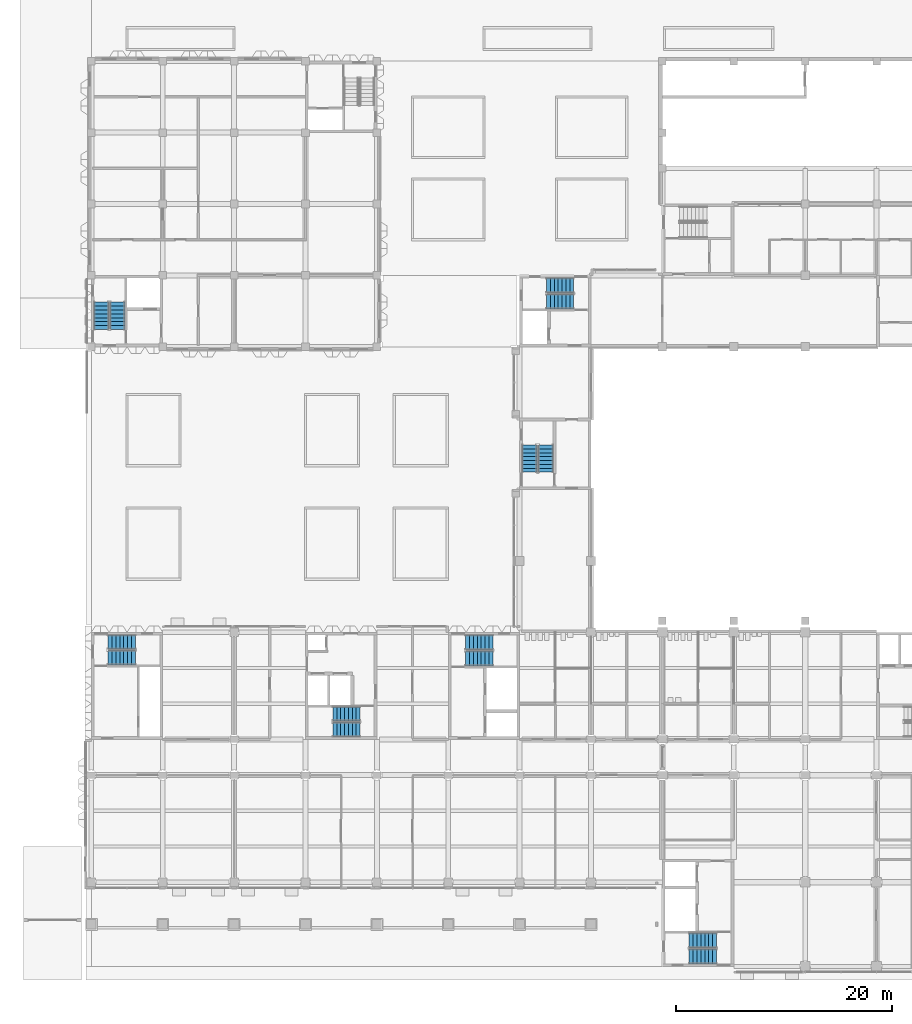
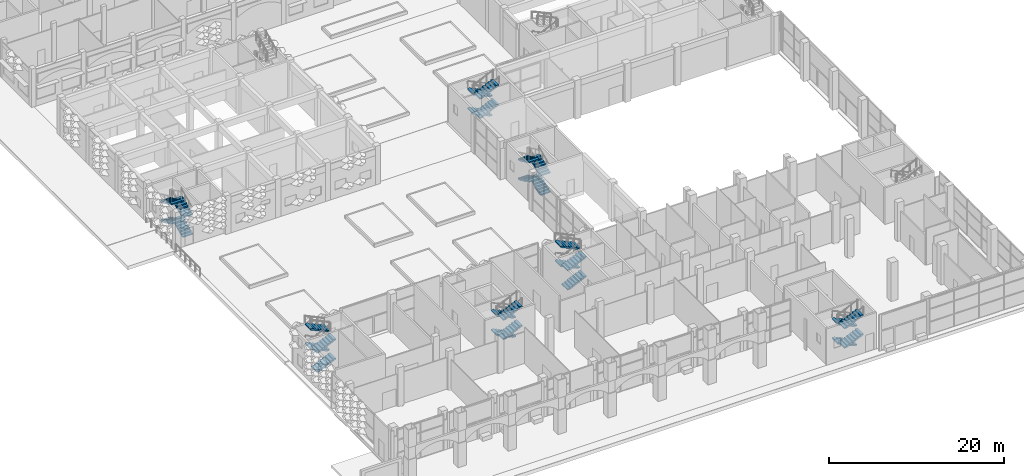
# One storey, part 42 of 85: 28 stair flights, 7 elements without a shape of their own.
"""IFC4 building model written with IfcOpenShell, lengths in metres."""

from ifc_helpers import new_model, si_unit, direction, frame, origin, place, context, subcontext, project, spatial, polyline, outline, extrude, material, type_object, element, aggregate, save


model = new_model("IFC4")

# Units and contexts
model_context = context("Model", 3, precision=1e-05, world=origin(), true_north=direction((0.0, 1.0)))
body_context = subcontext(model_context, "Body", "Model", "MODEL_VIEW")
ifc_project = project(units=[si_unit("LENGTHUNIT", "METRE"), si_unit("AREAUNIT", "SQUARE_METRE"), si_unit("VOLUMEUNIT", "CUBIC_METRE"), si_unit("PLANEANGLEUNIT", "RADIAN"), si_unit("MASSUNIT", "GRAM", prefix="KILO")], contexts=[model_context])

# Site, building, storey
site_placement = place(None, origin())
site = spatial("IfcSite", under=ifc_project, at=site_placement, CompositionType="ELEMENT")
building_placement = place(site_placement, origin())
building = spatial("IfcBuilding", under=site, at=building_placement, Name="Lantern Court Research Institute", CompositionType="ELEMENT")
storey_placement = place(building_placement, origin())
storey = spatial("IfcBuildingStorey", under=building, at=storey_placement, Name="L00", CompositionType="ELEMENT", Elevation=0.0)

# Stair, stair flights
ifc_material_1 = material(Name="Concrete C40/50", Category="concrete")
stair_type_1 = type_object("IfcStairType", Name="RC half-turn stair 1300 wide, 5400 rise, 6100 shaft", PredefinedType="HALF_TURN_STAIR", material=ifc_material_1)
stair_1_placement = place(storey_placement, origin())
stair_1 = element("IfcStair", 1, at=stair_1_placement, inside=storey, type_object=stair_type_1, Name="L00 stair ST-B1", PredefinedType="HALF_TURN_STAIR")
ifc_material_2 = material(Name="Concrete C40/50", Category="concrete")
stair_flight_type_1 = type_object("IfcStairFlightType", Name="RC stair flight 1300 wide, 8 risers of 169, going 360", PredefinedType="STRAIGHT", material=ifc_material_2)
stair_flight_1_placement = place(storey_placement, frame((1.550048828125, 20.75, 0.0), z_axis=(0.0, 0.0, 1.0), x_axis=(1.0, 0.0, 0.0)))
stair_flight_1 = element("IfcStairFlight", 2, at=stair_flight_1_placement, type_object=stair_flight_type_1, Name="ST-B1 flight 1", NumberOfRisers=8, NumberOfTreads=7, PredefinedType="STRAIGHT", RiserHeight=0.16875, TreadLength=0.36, context=body_context, shape_type="SweptSolid", body=[
    extrude(outline(polyline([(0.0, 0.0), (0.0, 0.168701171875), (0.360107421875, 0.168701171875), (0.360107421875, 0.33740234375), (0.719970703125, 0.33740234375), (0.719970703125, 0.50634765625), (1.080078125, 0.50634765625), (1.080078125, 0.675048828125), (1.43994140625, 0.675048828125), (1.43994140625, 0.84375), (1.800048828125, 0.84375), (1.800048828125, 1.012451171875), (2.159912109375, 1.012451171875), (2.159912109375, 1.18115234375), (2.52001953125, 1.18115234375), (2.52001953125, 1.35009765625), (2.52001953125, 1.015625), (0.353271484375, 0.0), (0.0, 0.0)])), frame((0.0, 0.64990234375, 0.0), z_axis=(0.0, -1.0, 0.0), x_axis=(1.0, 0.0, 0.0)), (0.0, 0.0, 1.0), 1.300048828125),
])
stair_flight_2_placement = place(storey_placement, frame((4.070068359375, 22.199951171875, 1.35009765625), z_axis=(0.0, 0.0, 1.0), x_axis=(-1.0, 0.0, 0.0)))
stair_flight_2 = element("IfcStairFlight", 3, at=stair_flight_2_placement, type_object=stair_flight_type_1, Name="ST-B1 flight 2", NumberOfRisers=8, NumberOfTreads=7, PredefinedType="STRAIGHT", RiserHeight=0.16875, TreadLength=0.36, context=body_context, shape_type="SweptSolid", body=[
    extrude(outline(polyline([(0.0, 0.0), (0.0, 0.168701171875), (0.360107421875, 0.168701171875), (0.360107421875, 0.33740234375), (0.719970703125, 0.33740234375), (0.719970703125, 0.50634765625), (1.080078125, 0.50634765625), (1.080078125, 0.675048828125), (1.43994140625, 0.675048828125), (1.43994140625, 0.84375), (1.800048828125, 0.84375), (1.800048828125, 1.012451171875), (2.159912109375, 1.012451171875), (2.159912109375, 1.18115234375), (2.52001953125, 1.18115234375), (2.52001953125, 1.35009765625), (2.52001953125, 1.015625), (0.353271484375, 0.0), (0.0, 0.0)])), frame((0.0, 0.64990234375, 0.0), z_axis=(0.0, -1.0, 0.0), x_axis=(1.0, 0.0, 0.0)), (0.0, 0.0, 1.0), 1.300048828125),
])
stair_flight_3_placement = place(storey_placement, frame((1.550048828125, 20.75, 2.699951171875), z_axis=(0.0, 0.0, 1.0), x_axis=(1.0, 0.0, 0.0)))
stair_flight_3 = element("IfcStairFlight", 4, at=stair_flight_3_placement, type_object=stair_flight_type_1, Name="ST-B1 flight 3", NumberOfRisers=8, NumberOfTreads=7, PredefinedType="STRAIGHT", RiserHeight=0.16875, TreadLength=0.36, context=body_context, shape_type="SweptSolid", body=[
    extrude(outline(polyline([(0.0, 0.0), (0.0, 0.168701171875), (0.360107421875, 0.168701171875), (0.360107421875, 0.33740234375), (0.719970703125, 0.33740234375), (0.719970703125, 0.50634765625), (1.080078125, 0.50634765625), (1.080078125, 0.675048828125), (1.43994140625, 0.675048828125), (1.43994140625, 0.84375), (1.800048828125, 0.84375), (1.800048828125, 1.012451171875), (2.159912109375, 1.012451171875), (2.159912109375, 1.18115234375), (2.52001953125, 1.18115234375), (2.52001953125, 1.35009765625), (2.52001953125, 1.015625), (0.353271484375, 0.0), (0.0, 0.0)])), frame((0.0, 0.64990234375, 0.0), z_axis=(0.0, -1.0, 0.0), x_axis=(1.0, 0.0, 0.0)), (0.0, 0.0, 1.0), 1.300048828125),
])
stair_flight_4_placement = place(storey_placement, frame((4.070068359375, 22.199951171875, 4.050048828125), z_axis=(0.0, 0.0, 1.0), x_axis=(-1.0, 0.0, 0.0)))
stair_flight_4 = element("IfcStairFlight", 5, at=stair_flight_4_placement, type_object=stair_flight_type_1, Name="ST-B1 flight 4", NumberOfRisers=8, NumberOfTreads=7, PredefinedType="STRAIGHT", RiserHeight=0.16875, TreadLength=0.36, context=body_context, shape_type="SweptSolid", body=[
    extrude(outline(polyline([(0.0, 0.0), (0.0, 0.168701171875), (0.360107421875, 0.168701171875), (0.360107421875, 0.33740234375), (0.719970703125, 0.33740234375), (0.719970703125, 0.50634765625), (1.080078125, 0.50634765625), (1.080078125, 0.675048828125), (1.43994140625, 0.675048828125), (1.43994140625, 0.84375), (1.800048828125, 0.84375), (1.800048828125, 1.012451171875), (2.159912109375, 1.012451171875), (2.159912109375, 1.18115234375), (2.52001953125, 1.18115234375), (2.52001953125, 1.35009765625), (2.52001953125, 1.015625), (0.353271484375, 0.0), (0.0, 0.0)])), frame((0.0, 0.64990234375, 0.0), z_axis=(0.0, -1.0, 0.0), x_axis=(1.0, 0.0, 0.0)), (0.0, 0.0, 1.0), 1.300048828125),
])
aggregate(stair_1, [stair_flight_1, stair_flight_2, stair_flight_3, stair_flight_4])

stair_2_placement = place(storey_placement, origin())
stair_2 = element("IfcStair", 6, at=stair_2_placement, inside=storey, type_object=stair_type_1, Name="L00 stair ST-B2", PredefinedType="HALF_TURN_STAIR")
stair_flight_5_placement = place(storey_placement, frame((24.85009765625, 15.550048828125, 0.0), z_axis=(0.0, 0.0, 1.0), x_axis=(-1.0, 0.0, 0.0)))
stair_flight_5 = element("IfcStairFlight", 7, at=stair_flight_5_placement, type_object=stair_flight_type_1, Name="ST-B2 flight 1", NumberOfRisers=8, NumberOfTreads=7, PredefinedType="STRAIGHT", RiserHeight=0.16875, TreadLength=0.36, context=body_context, shape_type="SweptSolid", body=[
    extrude(outline(polyline([(0.0, 0.0), (0.0, 0.168701171875), (0.360107421875, 0.168701171875), (0.360107421875, 0.33740234375), (0.719970703125, 0.33740234375), (0.719970703125, 0.50634765625), (1.080078125, 0.50634765625), (1.080078125, 0.675048828125), (1.43994140625, 0.675048828125), (1.43994140625, 0.84375), (1.800048828125, 0.84375), (1.800048828125, 1.012451171875), (2.159912109375, 1.012451171875), (2.159912109375, 1.18115234375), (2.52001953125, 1.18115234375), (2.52001953125, 1.35009765625), (2.52001953125, 1.015625), (0.353271484375, 0.0), (0.0, 0.0)])), frame((0.0, 0.64990234375, 0.0), z_axis=(0.0, -1.0, 0.0), x_axis=(1.0, 0.0, 0.0)), (0.0, 0.0, 1.0), 1.300048828125),
])
stair_flight_6_placement = place(storey_placement, frame((22.330078125, 14.10009765625, 1.35009765625), z_axis=(0.0, 0.0, 1.0), x_axis=(1.0, 0.0, 0.0)))
stair_flight_6 = element("IfcStairFlight", 8, at=stair_flight_6_placement, type_object=stair_flight_type_1, Name="ST-B2 flight 2", NumberOfRisers=8, NumberOfTreads=7, PredefinedType="STRAIGHT", RiserHeight=0.16875, TreadLength=0.36, context=body_context, shape_type="SweptSolid", body=[
    extrude(outline(polyline([(0.0, 0.0), (0.0, 0.168701171875), (0.360107421875, 0.168701171875), (0.360107421875, 0.33740234375), (0.719970703125, 0.33740234375), (0.719970703125, 0.50634765625), (1.080078125, 0.50634765625), (1.080078125, 0.675048828125), (1.43994140625, 0.675048828125), (1.43994140625, 0.84375), (1.800048828125, 0.84375), (1.800048828125, 1.012451171875), (2.159912109375, 1.012451171875), (2.159912109375, 1.18115234375), (2.52001953125, 1.18115234375), (2.52001953125, 1.35009765625), (2.52001953125, 1.015625), (0.353271484375, 0.0), (0.0, 0.0)])), frame((0.0, 0.64990234375, 0.0), z_axis=(0.0, -1.0, 0.0), x_axis=(1.0, 0.0, 0.0)), (0.0, 0.0, 1.0), 1.300048828125),
])
stair_flight_7_placement = place(storey_placement, frame((24.85009765625, 15.550048828125, 2.699951171875), z_axis=(0.0, 0.0, 1.0), x_axis=(-1.0, 0.0, 0.0)))
stair_flight_7 = element("IfcStairFlight", 9, at=stair_flight_7_placement, type_object=stair_flight_type_1, Name="ST-B2 flight 3", NumberOfRisers=8, NumberOfTreads=7, PredefinedType="STRAIGHT", RiserHeight=0.16875, TreadLength=0.36, context=body_context, shape_type="SweptSolid", body=[
    extrude(outline(polyline([(0.0, 0.0), (0.0, 0.168701171875), (0.360107421875, 0.168701171875), (0.360107421875, 0.33740234375), (0.719970703125, 0.33740234375), (0.719970703125, 0.50634765625), (1.080078125, 0.50634765625), (1.080078125, 0.675048828125), (1.43994140625, 0.675048828125), (1.43994140625, 0.84375), (1.800048828125, 0.84375), (1.800048828125, 1.012451171875), (2.159912109375, 1.012451171875), (2.159912109375, 1.18115234375), (2.52001953125, 1.18115234375), (2.52001953125, 1.35009765625), (2.52001953125, 1.015625), (0.353271484375, 0.0), (0.0, 0.0)])), frame((0.0, 0.64990234375, 0.0), z_axis=(0.0, -1.0, 0.0), x_axis=(1.0, 0.0, 0.0)), (0.0, 0.0, 1.0), 1.300048828125),
])
stair_flight_8_placement = place(storey_placement, frame((22.330078125, 14.10009765625, 4.050048828125), z_axis=(0.0, 0.0, 1.0), x_axis=(1.0, 0.0, 0.0)))
stair_flight_8 = element("IfcStairFlight", 10, at=stair_flight_8_placement, type_object=stair_flight_type_1, Name="ST-B2 flight 4", NumberOfRisers=8, NumberOfTreads=7, PredefinedType="STRAIGHT", RiserHeight=0.16875, TreadLength=0.36, context=body_context, shape_type="SweptSolid", body=[
    extrude(outline(polyline([(0.0, 0.0), (0.0, 0.168701171875), (0.360107421875, 0.168701171875), (0.360107421875, 0.33740234375), (0.719970703125, 0.33740234375), (0.719970703125, 0.50634765625), (1.080078125, 0.50634765625), (1.080078125, 0.675048828125), (1.43994140625, 0.675048828125), (1.43994140625, 0.84375), (1.800048828125, 0.84375), (1.800048828125, 1.012451171875), (2.159912109375, 1.012451171875), (2.159912109375, 1.18115234375), (2.52001953125, 1.18115234375), (2.52001953125, 1.35009765625), (2.52001953125, 1.015625), (0.353271484375, 0.0), (0.0, 0.0)])), frame((0.0, 0.64990234375, 0.0), z_axis=(0.0, -1.0, 0.0), x_axis=(1.0, 0.0, 0.0)), (0.0, 0.0, 1.0), 1.300048828125),
])
aggregate(stair_2, [stair_flight_5, stair_flight_6, stair_flight_7, stair_flight_8])

ifc_material_3 = material(Name="Concrete C40/50", Category="concrete")
stair_type_2 = type_object("IfcStairType", Name="RC half-turn stair 1350 wide, 5400 rise, 6100 shaft", PredefinedType="HALF_TURN_STAIR", material=ifc_material_3)
stair_3_placement = place(storey_placement, origin())
stair_3 = element("IfcStair", 11, at=stair_3_placement, inside=storey, type_object=stair_type_2, Name="L00 stair ST-B3", PredefinedType="HALF_TURN_STAIR")
ifc_material_4 = material(Name="Concrete C40/50", Category="concrete")
stair_flight_type_2 = type_object("IfcStairFlightType", Name="RC stair flight 1350 wide, 8 risers of 169, going 360", PredefinedType="STRAIGHT", material=ifc_material_4)
stair_flight_9_placement = place(storey_placement, frame((34.60009765625, 20.675048828125, 0.0), z_axis=(0.0, 0.0, 1.0), x_axis=(1.0, 0.0, 0.0)))
stair_flight_9 = element("IfcStairFlight", 12, at=stair_flight_9_placement, type_object=stair_flight_type_2, Name="ST-B3 flight 1", NumberOfRisers=8, NumberOfTreads=7, PredefinedType="STRAIGHT", RiserHeight=0.16875, TreadLength=0.36, context=body_context, shape_type="SweptSolid", body=[
    extrude(outline(polyline([(0.0, 0.0), (0.0, 0.168701171875), (0.360107421875, 0.168701171875), (0.360107421875, 0.33740234375), (0.719970703125, 0.33740234375), (0.719970703125, 0.50634765625), (1.080078125, 0.50634765625), (1.080078125, 0.675048828125), (1.43994140625, 0.675048828125), (1.43994140625, 0.84375), (1.800048828125, 0.84375), (1.800048828125, 1.012451171875), (2.159912109375, 1.012451171875), (2.159912109375, 1.18115234375), (2.52001953125, 1.18115234375), (2.52001953125, 1.35009765625), (2.52001953125, 1.015625), (0.353271484375, 0.0), (0.0, 0.0)])), frame((0.0, 0.675048828125, 0.0), z_axis=(0.0, -1.0, 0.0), x_axis=(1.0, 0.0, 0.0)), (0.0, 0.0, 1.0), 1.35009765625),
])
stair_flight_10_placement = place(storey_placement, frame((37.1201171875, 22.175048828125, 1.35009765625), z_axis=(0.0, 0.0, 1.0), x_axis=(-1.0, 0.0, 0.0)))
stair_flight_10 = element("IfcStairFlight", 13, at=stair_flight_10_placement, type_object=stair_flight_type_2, Name="ST-B3 flight 2", NumberOfRisers=8, NumberOfTreads=7, PredefinedType="STRAIGHT", RiserHeight=0.16875, TreadLength=0.36, context=body_context, shape_type="SweptSolid", body=[
    extrude(outline(polyline([(0.0, 0.0), (0.0, 0.168701171875), (0.360107421875, 0.168701171875), (0.360107421875, 0.33740234375), (0.719970703125, 0.33740234375), (0.719970703125, 0.50634765625), (1.080078125, 0.50634765625), (1.080078125, 0.675048828125), (1.43994140625, 0.675048828125), (1.43994140625, 0.84375), (1.800048828125, 0.84375), (1.800048828125, 1.012451171875), (2.159912109375, 1.012451171875), (2.159912109375, 1.18115234375), (2.52001953125, 1.18115234375), (2.52001953125, 1.35009765625), (2.52001953125, 1.015625), (0.353271484375, 0.0), (0.0, 0.0)])), frame((0.0, 0.675048828125, 0.0), z_axis=(0.0, -1.0, 0.0), x_axis=(1.0, 0.0, 0.0)), (0.0, 0.0, 1.0), 1.35009765625),
])
stair_flight_11_placement = place(storey_placement, frame((34.60009765625, 20.675048828125, 2.699951171875), z_axis=(0.0, 0.0, 1.0), x_axis=(1.0, 0.0, 0.0)))
stair_flight_11 = element("IfcStairFlight", 14, at=stair_flight_11_placement, type_object=stair_flight_type_2, Name="ST-B3 flight 3", NumberOfRisers=8, NumberOfTreads=7, PredefinedType="STRAIGHT", RiserHeight=0.16875, TreadLength=0.36, context=body_context, shape_type="SweptSolid", body=[
    extrude(outline(polyline([(0.0, 0.0), (0.0, 0.168701171875), (0.360107421875, 0.168701171875), (0.360107421875, 0.33740234375), (0.719970703125, 0.33740234375), (0.719970703125, 0.50634765625), (1.080078125, 0.50634765625), (1.080078125, 0.675048828125), (1.43994140625, 0.675048828125), (1.43994140625, 0.84375), (1.800048828125, 0.84375), (1.800048828125, 1.012451171875), (2.159912109375, 1.012451171875), (2.159912109375, 1.18115234375), (2.52001953125, 1.18115234375), (2.52001953125, 1.35009765625), (2.52001953125, 1.015625), (0.353271484375, 0.0), (0.0, 0.0)])), frame((0.0, 0.675048828125, 0.0), z_axis=(0.0, -1.0, 0.0), x_axis=(1.0, 0.0, 0.0)), (0.0, 0.0, 1.0), 1.35009765625),
])
stair_flight_12_placement = place(storey_placement, frame((37.1201171875, 22.175048828125, 4.050048828125), z_axis=(0.0, 0.0, 1.0), x_axis=(-1.0, 0.0, 0.0)))
stair_flight_12 = element("IfcStairFlight", 15, at=stair_flight_12_placement, type_object=stair_flight_type_2, Name="ST-B3 flight 4", NumberOfRisers=8, NumberOfTreads=7, PredefinedType="STRAIGHT", RiserHeight=0.16875, TreadLength=0.36, context=body_context, shape_type="SweptSolid", body=[
    extrude(outline(polyline([(0.0, 0.0), (0.0, 0.168701171875), (0.360107421875, 0.168701171875), (0.360107421875, 0.33740234375), (0.719970703125, 0.33740234375), (0.719970703125, 0.50634765625), (1.080078125, 0.50634765625), (1.080078125, 0.675048828125), (1.43994140625, 0.675048828125), (1.43994140625, 0.84375), (1.800048828125, 0.84375), (1.800048828125, 1.012451171875), (2.159912109375, 1.012451171875), (2.159912109375, 1.18115234375), (2.52001953125, 1.18115234375), (2.52001953125, 1.35009765625), (2.52001953125, 1.015625), (0.353271484375, 0.0), (0.0, 0.0)])), frame((0.0, 0.675048828125, 0.0), z_axis=(0.0, -1.0, 0.0), x_axis=(1.0, 0.0, 0.0)), (0.0, 0.0, 1.0), 1.35009765625),
])
aggregate(stair_3, [stair_flight_9, stair_flight_10, stair_flight_11, stair_flight_12])

stair_4_placement = place(storey_placement, origin())
stair_4 = element("IfcStair", 16, at=stair_4_placement, inside=storey, type_object=stair_type_2, Name="L00 stair ST-T1", PredefinedType="HALF_TURN_STAIR")
stair_flight_13_placement = place(storey_placement, frame((57.800048828125, -5.375, 0.0), z_axis=(0.0, 0.0, 1.0), x_axis=(-1.0, 0.0, 0.0)))
stair_flight_13 = element("IfcStairFlight", 17, at=stair_flight_13_placement, type_object=stair_flight_type_2, Name="ST-T1 flight 1", NumberOfRisers=8, NumberOfTreads=7, PredefinedType="STRAIGHT", RiserHeight=0.16875, TreadLength=0.36, context=body_context, shape_type="SweptSolid", body=[
    extrude(outline(polyline([(0.0, 0.0), (0.0, 0.168701171875), (0.360107421875, 0.168701171875), (0.360107421875, 0.33740234375), (0.719970703125, 0.33740234375), (0.719970703125, 0.50634765625), (1.080078125, 0.50634765625), (1.080078125, 0.675048828125), (1.43994140625, 0.675048828125), (1.43994140625, 0.84375), (1.800048828125, 0.84375), (1.800048828125, 1.012451171875), (2.159912109375, 1.012451171875), (2.159912109375, 1.18115234375), (2.52001953125, 1.18115234375), (2.52001953125, 1.35009765625), (2.52001953125, 1.015625), (0.353271484375, 0.0), (0.0, 0.0)])), frame((0.0, 0.675048828125, 0.0), z_axis=(0.0, -1.0, 0.0), x_axis=(1.0, 0.0, 0.0)), (0.0, 0.0, 1.0), 1.35009765625),
])
stair_flight_14_placement = place(storey_placement, frame((55.280029296875, -6.875, 1.35009765625), z_axis=(0.0, 0.0, 1.0), x_axis=(1.0, 0.0, 0.0)))
stair_flight_14 = element("IfcStairFlight", 18, at=stair_flight_14_placement, type_object=stair_flight_type_2, Name="ST-T1 flight 2", NumberOfRisers=8, NumberOfTreads=7, PredefinedType="STRAIGHT", RiserHeight=0.16875, TreadLength=0.36, context=body_context, shape_type="SweptSolid", body=[
    extrude(outline(polyline([(0.0, 0.0), (0.0, 0.168701171875), (0.360107421875, 0.168701171875), (0.360107421875, 0.33740234375), (0.719970703125, 0.33740234375), (0.719970703125, 0.50634765625), (1.080078125, 0.50634765625), (1.080078125, 0.675048828125), (1.43994140625, 0.675048828125), (1.43994140625, 0.84375), (1.800048828125, 0.84375), (1.800048828125, 1.012451171875), (2.159912109375, 1.012451171875), (2.159912109375, 1.18115234375), (2.52001953125, 1.18115234375), (2.52001953125, 1.35009765625), (2.52001953125, 1.015625), (0.353271484375, 0.0), (0.0, 0.0)])), frame((0.0, 0.675048828125, 0.0), z_axis=(0.0, -1.0, 0.0), x_axis=(1.0, 0.0, 0.0)), (0.0, 0.0, 1.0), 1.35009765625),
])
stair_flight_15_placement = place(storey_placement, frame((57.800048828125, -5.375, 2.699951171875), z_axis=(0.0, 0.0, 1.0), x_axis=(-1.0, 0.0, 0.0)))
stair_flight_15 = element("IfcStairFlight", 19, at=stair_flight_15_placement, type_object=stair_flight_type_2, Name="ST-T1 flight 3", NumberOfRisers=8, NumberOfTreads=7, PredefinedType="STRAIGHT", RiserHeight=0.16875, TreadLength=0.36, context=body_context, shape_type="SweptSolid", body=[
    extrude(outline(polyline([(0.0, 0.0), (0.0, 0.168701171875), (0.360107421875, 0.168701171875), (0.360107421875, 0.33740234375), (0.719970703125, 0.33740234375), (0.719970703125, 0.50634765625), (1.080078125, 0.50634765625), (1.080078125, 0.675048828125), (1.43994140625, 0.675048828125), (1.43994140625, 0.84375), (1.800048828125, 0.84375), (1.800048828125, 1.012451171875), (2.159912109375, 1.012451171875), (2.159912109375, 1.18115234375), (2.52001953125, 1.18115234375), (2.52001953125, 1.35009765625), (2.52001953125, 1.015625), (0.353271484375, 0.0), (0.0, 0.0)])), frame((0.0, 0.675048828125, 0.0), z_axis=(0.0, -1.0, 0.0), x_axis=(1.0, 0.0, 0.0)), (0.0, 0.0, 1.0), 1.35009765625),
])
stair_flight_16_placement = place(storey_placement, frame((55.280029296875, -6.875, 4.050048828125), z_axis=(0.0, 0.0, 1.0), x_axis=(1.0, 0.0, 0.0)))
stair_flight_16 = element("IfcStairFlight", 20, at=stair_flight_16_placement, type_object=stair_flight_type_2, Name="ST-T1 flight 4", NumberOfRisers=8, NumberOfTreads=7, PredefinedType="STRAIGHT", RiserHeight=0.16875, TreadLength=0.36, context=body_context, shape_type="SweptSolid", body=[
    extrude(outline(polyline([(0.0, 0.0), (0.0, 0.168701171875), (0.360107421875, 0.168701171875), (0.360107421875, 0.33740234375), (0.719970703125, 0.33740234375), (0.719970703125, 0.50634765625), (1.080078125, 0.50634765625), (1.080078125, 0.675048828125), (1.43994140625, 0.675048828125), (1.43994140625, 0.84375), (1.800048828125, 0.84375), (1.800048828125, 1.012451171875), (2.159912109375, 1.012451171875), (2.159912109375, 1.18115234375), (2.52001953125, 1.18115234375), (2.52001953125, 1.35009765625), (2.52001953125, 1.015625), (0.353271484375, 0.0), (0.0, 0.0)])), frame((0.0, 0.675048828125, 0.0), z_axis=(0.0, -1.0, 0.0), x_axis=(1.0, 0.0, 0.0)), (0.0, 0.0, 1.0), 1.35009765625),
])
aggregate(stair_4, [stair_flight_13, stair_flight_14, stair_flight_15, stair_flight_16])

stair_5_placement = place(storey_placement, origin())
stair_5 = element("IfcStair", 21, at=stair_5_placement, inside=storey, type_object=stair_type_2, Name="L00 stair ST-C1", PredefinedType="HALF_TURN_STAIR")
stair_flight_17_placement = place(storey_placement, frame((2.425048828125, 51.10009765625, 0.0), z_axis=(0.0, 0.0, 1.0), x_axis=(0.0, 1.0, 0.0)))
stair_flight_17 = element("IfcStairFlight", 22, at=stair_flight_17_placement, type_object=stair_flight_type_2, Name="ST-C1 flight 1", NumberOfRisers=8, NumberOfTreads=7, PredefinedType="STRAIGHT", RiserHeight=0.16875, TreadLength=0.36, context=body_context, shape_type="SweptSolid", body=[
    extrude(outline(polyline([(0.0, 0.0), (0.0, 0.168701171875), (0.360107421875, 0.168701171875), (0.360107421875, 0.33740234375), (0.719970703125, 0.33740234375), (0.719970703125, 0.50634765625), (1.080078125, 0.50634765625), (1.080078125, 0.675048828125), (1.43994140625, 0.675048828125), (1.43994140625, 0.84375), (1.800048828125, 0.84375), (1.800048828125, 1.012451171875), (2.159912109375, 1.012451171875), (2.159912109375, 1.18115234375), (2.52001953125, 1.18115234375), (2.52001953125, 1.35009765625), (2.52001953125, 1.015625), (0.353271484375, 0.0), (0.0, 0.0)])), frame((0.0, 0.675048828125, 0.0), z_axis=(0.0, -1.0, 0.0), x_axis=(1.0, 0.0, 0.0)), (0.0, 0.0, 1.0), 1.35009765625),
])
stair_flight_18_placement = place(storey_placement, frame((0.925048828125, 53.6201171875, 1.35009765625), z_axis=(0.0, 0.0, 1.0), x_axis=(0.0, -1.0, 0.0)))
stair_flight_18 = element("IfcStairFlight", 23, at=stair_flight_18_placement, type_object=stair_flight_type_2, Name="ST-C1 flight 2", NumberOfRisers=8, NumberOfTreads=7, PredefinedType="STRAIGHT", RiserHeight=0.16875, TreadLength=0.36, context=body_context, shape_type="SweptSolid", body=[
    extrude(outline(polyline([(0.0, 0.0), (0.0, 0.168701171875), (0.360107421875, 0.168701171875), (0.360107421875, 0.33740234375), (0.719970703125, 0.33740234375), (0.719970703125, 0.50634765625), (1.080078125, 0.50634765625), (1.080078125, 0.675048828125), (1.43994140625, 0.675048828125), (1.43994140625, 0.84375), (1.800048828125, 0.84375), (1.800048828125, 1.012451171875), (2.159912109375, 1.012451171875), (2.159912109375, 1.18115234375), (2.52001953125, 1.18115234375), (2.52001953125, 1.35009765625), (2.52001953125, 1.015625), (0.353271484375, 0.0), (0.0, 0.0)])), frame((0.0, 0.675048828125, 0.0), z_axis=(0.0, -1.0, 0.0), x_axis=(1.0, 0.0, 0.0)), (0.0, 0.0, 1.0), 1.35009765625),
])
stair_flight_19_placement = place(storey_placement, frame((2.425048828125, 51.10009765625, 2.699951171875), z_axis=(0.0, 0.0, 1.0), x_axis=(0.0, 1.0, 0.0)))
stair_flight_19 = element("IfcStairFlight", 24, at=stair_flight_19_placement, type_object=stair_flight_type_2, Name="ST-C1 flight 3", NumberOfRisers=8, NumberOfTreads=7, PredefinedType="STRAIGHT", RiserHeight=0.16875, TreadLength=0.36, context=body_context, shape_type="SweptSolid", body=[
    extrude(outline(polyline([(0.0, 0.0), (0.0, 0.168701171875), (0.360107421875, 0.168701171875), (0.360107421875, 0.33740234375), (0.719970703125, 0.33740234375), (0.719970703125, 0.50634765625), (1.080078125, 0.50634765625), (1.080078125, 0.675048828125), (1.43994140625, 0.675048828125), (1.43994140625, 0.84375), (1.800048828125, 0.84375), (1.800048828125, 1.012451171875), (2.159912109375, 1.012451171875), (2.159912109375, 1.18115234375), (2.52001953125, 1.18115234375), (2.52001953125, 1.35009765625), (2.52001953125, 1.015625), (0.353271484375, 0.0), (0.0, 0.0)])), frame((0.0, 0.675048828125, 0.0), z_axis=(0.0, -1.0, 0.0), x_axis=(1.0, 0.0, 0.0)), (0.0, 0.0, 1.0), 1.35009765625),
])
stair_flight_20_placement = place(storey_placement, frame((0.925048828125, 53.6201171875, 4.050048828125), z_axis=(0.0, 0.0, 1.0), x_axis=(0.0, -1.0, 0.0)))
stair_flight_20 = element("IfcStairFlight", 25, at=stair_flight_20_placement, type_object=stair_flight_type_2, Name="ST-C1 flight 4", NumberOfRisers=8, NumberOfTreads=7, PredefinedType="STRAIGHT", RiserHeight=0.16875, TreadLength=0.36, context=body_context, shape_type="SweptSolid", body=[
    extrude(outline(polyline([(0.0, 0.0), (0.0, 0.168701171875), (0.360107421875, 0.168701171875), (0.360107421875, 0.33740234375), (0.719970703125, 0.33740234375), (0.719970703125, 0.50634765625), (1.080078125, 0.50634765625), (1.080078125, 0.675048828125), (1.43994140625, 0.675048828125), (1.43994140625, 0.84375), (1.800048828125, 0.84375), (1.800048828125, 1.012451171875), (2.159912109375, 1.012451171875), (2.159912109375, 1.18115234375), (2.52001953125, 1.18115234375), (2.52001953125, 1.35009765625), (2.52001953125, 1.015625), (0.353271484375, 0.0), (0.0, 0.0)])), frame((0.0, 0.675048828125, 0.0), z_axis=(0.0, -1.0, 0.0), x_axis=(1.0, 0.0, 0.0)), (0.0, 0.0, 1.0), 1.35009765625),
])
aggregate(stair_5, [stair_flight_17, stair_flight_18, stair_flight_19, stair_flight_20])

stair_6_placement = place(storey_placement, origin())
stair_6 = element("IfcStair", 26, at=stair_6_placement, inside=storey, type_object=stair_type_2, Name="L00 stair ST-H1", PredefinedType="HALF_TURN_STAIR")
stair_flight_21_placement = place(storey_placement, frame((44.60009765625, 55.175048828125, 0.0), z_axis=(0.0, 0.0, 1.0), x_axis=(-1.0, 0.0, 0.0)))
stair_flight_21 = element("IfcStairFlight", 27, at=stair_flight_21_placement, type_object=stair_flight_type_2, Name="ST-H1 flight 1", NumberOfRisers=8, NumberOfTreads=7, PredefinedType="STRAIGHT", RiserHeight=0.16875, TreadLength=0.36, context=body_context, shape_type="SweptSolid", body=[
    extrude(outline(polyline([(0.0, 0.0), (0.0, 0.168701171875), (0.360107421875, 0.168701171875), (0.360107421875, 0.33740234375), (0.719970703125, 0.33740234375), (0.719970703125, 0.50634765625), (1.080078125, 0.50634765625), (1.080078125, 0.675048828125), (1.43994140625, 0.675048828125), (1.43994140625, 0.84375), (1.800048828125, 0.84375), (1.800048828125, 1.012451171875), (2.159912109375, 1.012451171875), (2.159912109375, 1.18115234375), (2.52001953125, 1.18115234375), (2.52001953125, 1.35009765625), (2.52001953125, 1.015625), (0.353271484375, 0.0), (0.0, 0.0)])), frame((0.0, 0.675048828125, 0.0), z_axis=(0.0, -1.0, 0.0), x_axis=(1.0, 0.0, 0.0)), (0.0, 0.0, 1.0), 1.35009765625),
])
stair_flight_22_placement = place(storey_placement, frame((42.080078125, 53.675048828125, 1.35009765625), z_axis=(0.0, 0.0, 1.0), x_axis=(1.0, 0.0, 0.0)))
stair_flight_22 = element("IfcStairFlight", 28, at=stair_flight_22_placement, type_object=stair_flight_type_2, Name="ST-H1 flight 2", NumberOfRisers=8, NumberOfTreads=7, PredefinedType="STRAIGHT", RiserHeight=0.16875, TreadLength=0.36, context=body_context, shape_type="SweptSolid", body=[
    extrude(outline(polyline([(0.0, 0.0), (0.0, 0.168701171875), (0.360107421875, 0.168701171875), (0.360107421875, 0.33740234375), (0.719970703125, 0.33740234375), (0.719970703125, 0.50634765625), (1.080078125, 0.50634765625), (1.080078125, 0.675048828125), (1.43994140625, 0.675048828125), (1.43994140625, 0.84375), (1.800048828125, 0.84375), (1.800048828125, 1.012451171875), (2.159912109375, 1.012451171875), (2.159912109375, 1.18115234375), (2.52001953125, 1.18115234375), (2.52001953125, 1.35009765625), (2.52001953125, 1.015625), (0.353271484375, 0.0), (0.0, 0.0)])), frame((0.0, 0.675048828125, 0.0), z_axis=(0.0, -1.0, 0.0), x_axis=(1.0, 0.0, 0.0)), (0.0, 0.0, 1.0), 1.35009765625),
])
stair_flight_23_placement = place(storey_placement, frame((44.60009765625, 55.175048828125, 2.699951171875), z_axis=(0.0, 0.0, 1.0), x_axis=(-1.0, 0.0, 0.0)))
stair_flight_23 = element("IfcStairFlight", 29, at=stair_flight_23_placement, type_object=stair_flight_type_2, Name="ST-H1 flight 3", NumberOfRisers=8, NumberOfTreads=7, PredefinedType="STRAIGHT", RiserHeight=0.16875, TreadLength=0.36, context=body_context, shape_type="SweptSolid", body=[
    extrude(outline(polyline([(0.0, 0.0), (0.0, 0.168701171875), (0.360107421875, 0.168701171875), (0.360107421875, 0.33740234375), (0.719970703125, 0.33740234375), (0.719970703125, 0.50634765625), (1.080078125, 0.50634765625), (1.080078125, 0.675048828125), (1.43994140625, 0.675048828125), (1.43994140625, 0.84375), (1.800048828125, 0.84375), (1.800048828125, 1.012451171875), (2.159912109375, 1.012451171875), (2.159912109375, 1.18115234375), (2.52001953125, 1.18115234375), (2.52001953125, 1.35009765625), (2.52001953125, 1.015625), (0.353271484375, 0.0), (0.0, 0.0)])), frame((0.0, 0.675048828125, 0.0), z_axis=(0.0, -1.0, 0.0), x_axis=(1.0, 0.0, 0.0)), (0.0, 0.0, 1.0), 1.35009765625),
])
stair_flight_24_placement = place(storey_placement, frame((42.080078125, 53.675048828125, 4.050048828125), z_axis=(0.0, 0.0, 1.0), x_axis=(1.0, 0.0, 0.0)))
stair_flight_24 = element("IfcStairFlight", 30, at=stair_flight_24_placement, type_object=stair_flight_type_2, Name="ST-H1 flight 4", NumberOfRisers=8, NumberOfTreads=7, PredefinedType="STRAIGHT", RiserHeight=0.16875, TreadLength=0.36, context=body_context, shape_type="SweptSolid", body=[
    extrude(outline(polyline([(0.0, 0.0), (0.0, 0.168701171875), (0.360107421875, 0.168701171875), (0.360107421875, 0.33740234375), (0.719970703125, 0.33740234375), (0.719970703125, 0.50634765625), (1.080078125, 0.50634765625), (1.080078125, 0.675048828125), (1.43994140625, 0.675048828125), (1.43994140625, 0.84375), (1.800048828125, 0.84375), (1.800048828125, 1.012451171875), (2.159912109375, 1.012451171875), (2.159912109375, 1.18115234375), (2.52001953125, 1.18115234375), (2.52001953125, 1.35009765625), (2.52001953125, 1.015625), (0.353271484375, 0.0), (0.0, 0.0)])), frame((0.0, 0.675048828125, 0.0), z_axis=(0.0, -1.0, 0.0), x_axis=(1.0, 0.0, 0.0)), (0.0, 0.0, 1.0), 1.35009765625),
])
aggregate(stair_6, [stair_flight_21, stair_flight_22, stair_flight_23, stair_flight_24])

stair_7_placement = place(storey_placement, origin())
stair_7 = element("IfcStair", 31, at=stair_7_placement, inside=storey, type_object=stair_type_2, Name="L00 stair ST-H3", PredefinedType="HALF_TURN_STAIR")
stair_flight_25_placement = place(storey_placement, frame((42.02490234375, 37.89990234375, 0.0), z_axis=(0.0, 0.0, 1.0), x_axis=(0.0, 1.0, 0.0)))
stair_flight_25 = element("IfcStairFlight", 32, at=stair_flight_25_placement, type_object=stair_flight_type_2, Name="ST-H3 flight 1", NumberOfRisers=8, NumberOfTreads=7, PredefinedType="STRAIGHT", RiserHeight=0.16875, TreadLength=0.36, context=body_context, shape_type="SweptSolid", body=[
    extrude(outline(polyline([(0.0, 0.0), (0.0, 0.168701171875), (0.360107421875, 0.168701171875), (0.360107421875, 0.33740234375), (0.719970703125, 0.33740234375), (0.719970703125, 0.50634765625), (1.080078125, 0.50634765625), (1.080078125, 0.675048828125), (1.43994140625, 0.675048828125), (1.43994140625, 0.84375), (1.800048828125, 0.84375), (1.800048828125, 1.012451171875), (2.159912109375, 1.012451171875), (2.159912109375, 1.18115234375), (2.52001953125, 1.18115234375), (2.52001953125, 1.35009765625), (2.52001953125, 1.015625), (0.353271484375, 0.0), (0.0, 0.0)])), frame((0.0, 0.675048828125, 0.0), z_axis=(0.0, -1.0, 0.0), x_axis=(1.0, 0.0, 0.0)), (0.0, 0.0, 1.0), 1.35009765625),
])
stair_flight_26_placement = place(storey_placement, frame((40.52490234375, 40.419921875, 1.35009765625), z_axis=(0.0, 0.0, 1.0), x_axis=(0.0, -1.0, 0.0)))
stair_flight_26 = element("IfcStairFlight", 33, at=stair_flight_26_placement, type_object=stair_flight_type_2, Name="ST-H3 flight 2", NumberOfRisers=8, NumberOfTreads=7, PredefinedType="STRAIGHT", RiserHeight=0.16875, TreadLength=0.36, context=body_context, shape_type="SweptSolid", body=[
    extrude(outline(polyline([(0.0, 0.0), (0.0, 0.168701171875), (0.360107421875, 0.168701171875), (0.360107421875, 0.33740234375), (0.719970703125, 0.33740234375), (0.719970703125, 0.50634765625), (1.080078125, 0.50634765625), (1.080078125, 0.675048828125), (1.43994140625, 0.675048828125), (1.43994140625, 0.84375), (1.800048828125, 0.84375), (1.800048828125, 1.012451171875), (2.159912109375, 1.012451171875), (2.159912109375, 1.18115234375), (2.52001953125, 1.18115234375), (2.52001953125, 1.35009765625), (2.52001953125, 1.015625), (0.353271484375, 0.0), (0.0, 0.0)])), frame((0.0, 0.675048828125, 0.0), z_axis=(0.0, -1.0, 0.0), x_axis=(1.0, 0.0, 0.0)), (0.0, 0.0, 1.0), 1.35009765625),
])
stair_flight_27_placement = place(storey_placement, frame((42.02490234375, 37.89990234375, 2.699951171875), z_axis=(0.0, 0.0, 1.0), x_axis=(0.0, 1.0, 0.0)))
stair_flight_27 = element("IfcStairFlight", 34, at=stair_flight_27_placement, type_object=stair_flight_type_2, Name="ST-H3 flight 3", NumberOfRisers=8, NumberOfTreads=7, PredefinedType="STRAIGHT", RiserHeight=0.16875, TreadLength=0.36, context=body_context, shape_type="SweptSolid", body=[
    extrude(outline(polyline([(0.0, 0.0), (0.0, 0.168701171875), (0.360107421875, 0.168701171875), (0.360107421875, 0.33740234375), (0.719970703125, 0.33740234375), (0.719970703125, 0.50634765625), (1.080078125, 0.50634765625), (1.080078125, 0.675048828125), (1.43994140625, 0.675048828125), (1.43994140625, 0.84375), (1.800048828125, 0.84375), (1.800048828125, 1.012451171875), (2.159912109375, 1.012451171875), (2.159912109375, 1.18115234375), (2.52001953125, 1.18115234375), (2.52001953125, 1.35009765625), (2.52001953125, 1.015625), (0.353271484375, 0.0), (0.0, 0.0)])), frame((0.0, 0.675048828125, 0.0), z_axis=(0.0, -1.0, 0.0), x_axis=(1.0, 0.0, 0.0)), (0.0, 0.0, 1.0), 1.35009765625),
])
stair_flight_28_placement = place(storey_placement, frame((40.52490234375, 40.419921875, 4.050048828125), z_axis=(0.0, 0.0, 1.0), x_axis=(0.0, -1.0, 0.0)))
stair_flight_28 = element("IfcStairFlight", 35, at=stair_flight_28_placement, type_object=stair_flight_type_2, Name="ST-H3 flight 4", NumberOfRisers=8, NumberOfTreads=7, PredefinedType="STRAIGHT", RiserHeight=0.16875, TreadLength=0.36, context=body_context, shape_type="SweptSolid", body=[
    extrude(outline(polyline([(0.0, 0.0), (0.0, 0.168701171875), (0.360107421875, 0.168701171875), (0.360107421875, 0.33740234375), (0.719970703125, 0.33740234375), (0.719970703125, 0.50634765625), (1.080078125, 0.50634765625), (1.080078125, 0.675048828125), (1.43994140625, 0.675048828125), (1.43994140625, 0.84375), (1.800048828125, 0.84375), (1.800048828125, 1.012451171875), (2.159912109375, 1.012451171875), (2.159912109375, 1.18115234375), (2.52001953125, 1.18115234375), (2.52001953125, 1.35009765625), (2.52001953125, 1.015625), (0.353271484375, 0.0), (0.0, 0.0)])), frame((0.0, 0.675048828125, 0.0), z_axis=(0.0, -1.0, 0.0), x_axis=(1.0, 0.0, 0.0)), (0.0, 0.0, 1.0), 1.35009765625),
])
aggregate(stair_7, [stair_flight_25, stair_flight_26, stair_flight_27, stair_flight_28])

save(model, "model.ifc")
